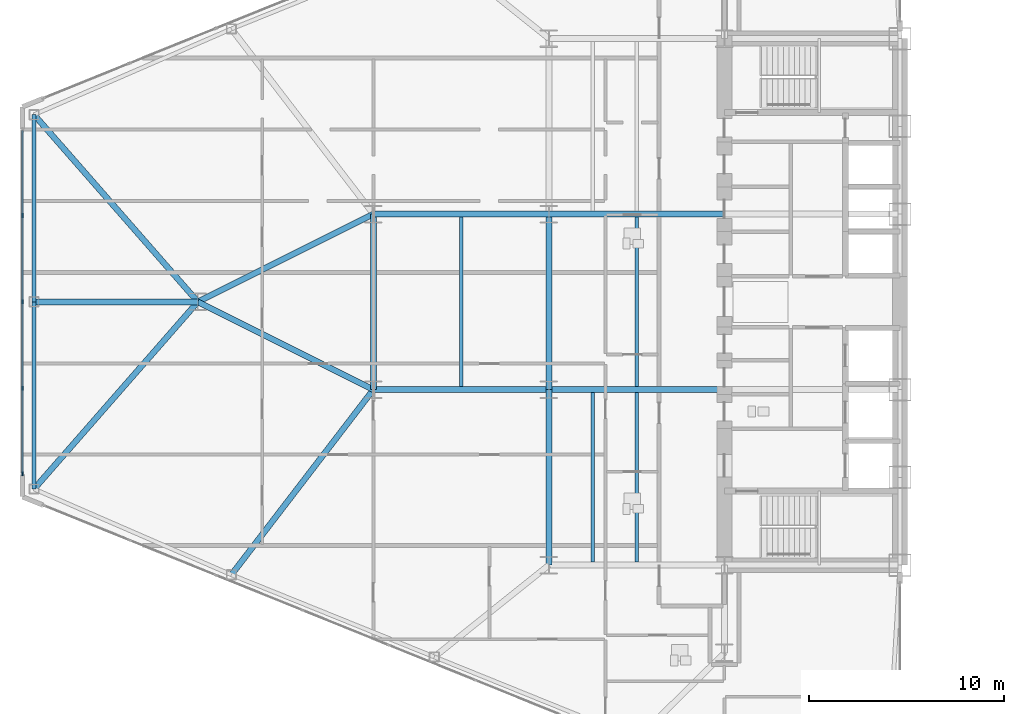
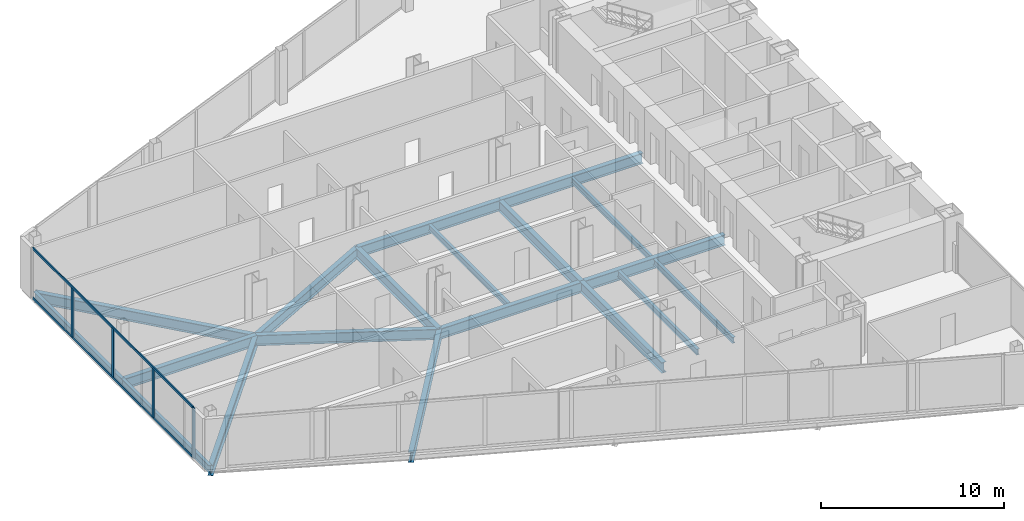
# One storey, part 4 of 25: 19 beams, 6 members, 1 element without a shape of its own.
"""IFC4 building model written with IfcOpenShell, lengths in metres."""

from ifc_helpers import new_model, si_unit, direction, frame, origin, origin_2d, place, context, subcontext, project, spatial, rectangle, i_section, extrude, source, transform, mapped, material, layer, layer_set, material_profile, profile_set, type_object, type_shapes, element, aggregate, save


model = new_model("IFC4")

# Units and contexts
model_context = context("Model", 3, precision=1e-05, world=origin(), true_north=direction((0.0, 1.0)))
body_context = subcontext(model_context, "Body", "Model", "MODEL_VIEW")
ifc_project = project(units=[si_unit("LENGTHUNIT", "METRE"), si_unit("AREAUNIT", "SQUARE_METRE"), si_unit("VOLUMEUNIT", "CUBIC_METRE"), si_unit("PLANEANGLEUNIT", "RADIAN"), si_unit("MASSUNIT", "GRAM", prefix="KILO")], contexts=[model_context])

# Site, building, storey
site_placement = place(None, origin())
site = spatial("IfcSite", under=ifc_project, at=site_placement, CompositionType="ELEMENT")
building_placement = place(site_placement, origin())
building = spatial("IfcBuilding", under=site, at=building_placement, Name="Seokmaru Belvedere", CompositionType="ELEMENT")
storey_placement = place(building_placement, frame((0.0, 0.0, 58.5)))
storey = spatial("IfcBuildingStorey", under=building, at=storey_placement, Name="L15", CompositionType="ELEMENT", Elevation=58.5)

# Beams
ifc_material_1 = material(Name="Steel SM355 (355 MPa)", Category="steel")
ifc_material_profile_1 = material_profile(ifc_material_1, i_section(OverallWidth=0.300048828125, OverallDepth=0.699951171875, WebThickness=0.012939453125, FlangeThickness=0.02392578125, at=origin_2d()), Name="H-700x300x13x24")
ifc_profile_set_1 = profile_set([ifc_material_profile_1], Name="Steel SM355 (355 MPa)")
beam_type_1 = type_object("IfcBeamType", Name="Primary Floor Girder H-700", PredefinedType="BEAM", material=ifc_profile_set_1)
shared_shape_1 = source(origin(), body_context, "Body", "SweptSolid", [
    extrude(i_section(OverallWidth=0.300048828125, OverallDepth=0.699951171875, WebThickness=0.012939453125, FlangeThickness=0.02392578125, at=origin_2d()), origin(), (0.0, 0.0, 1.0), 9.0),
])
for number, where, z_axis, x_axis, name in (
    (1, (-45.5, -13.5, -0.570068359375), (0.0, 1.0, 0.0), (-1.0, 0.0, 0.0), "L15 W Interior Grid Girder 1"),
    (2, (-45.5, -4.5, -0.570068359375), (0.0, 1.0, 0.0), (-1.0, 0.0, 0.0), "L15 W Interior Grid Girder 2"),
    (3, (-45.5, -4.5, -0.570068359375), (1.0, 0.0, 0.0), (0.0, 1.0, 0.0), "L15 W Wing Primary Girder 2"),
    (4, (-45.5, 4.5, -0.570068359375), (1.0, 0.0, 0.0), (0.0, 1.0, 0.0), "L15 W Wing Primary Girder 3"),
    (5, (-54.5, -4.5, -0.570068359375), (1.0, 0.0, 0.0), (0.0, 1.0, 0.0), "L15 W Outer Wing Girder 1"),
    (6, (-54.5, 4.5, -0.570068359375), (1.0, 0.0, 0.0), (0.0, 1.0, 0.0), "L15 W Outer Wing Girder 2"),
    (7, (-54.5, -4.5, -0.570068359375), (0.0, 1.0, 0.0), (-1.0, 0.0, 0.0), "L15 W Apex Frame Girder"),
):
    element("IfcBeam", number, at=place(storey_placement, frame(where, z_axis=z_axis, x_axis=x_axis)), inside=storey, type_object=beam_type_1, Name=name, PredefinedType="BEAM", context=body_context, shape_type="MappedRepresentation", body=[
        mapped(shared_shape_1, transform((0.0, 0.0, 0.0), scale=1.0)),
    ])
shared_shape_2 = source(origin(), body_context, "Body", "SweptSolid", [
    extrude(i_section(OverallWidth=0.300048828125, OverallDepth=0.699951171875, WebThickness=0.012939453125, FlangeThickness=0.02392578125, at=origin_2d()), origin(), (0.0, 0.0, 1.0), 10.062255859375),
])
for number, where, z_axis, x_axis, name in (
    (8, (-54.5, -4.5, -0.570068359375), (-0.894427191, 0.4472135955, 0.0), (-0.4472135955, -0.894427191, 0.0), "L15 W Apex Converging Girder 1"),
    (9, (-54.5, 4.5, -0.570068359375), (-0.894427191, -0.4472135955, 0.0), (0.4472135955, -0.894427191, 0.0), "L15 W Apex Converging Girder 2"),
):
    element("IfcBeam", number, at=place(storey_placement, frame(where, z_axis=z_axis, x_axis=x_axis)), inside=storey, type_object=beam_type_1, Name=name, PredefinedType="BEAM", context=body_context, shape_type="MappedRepresentation", body=[
        mapped(shared_shape_2, transform((0.0, 0.0, 0.0), scale=1.0)),
    ])
ifc_material_profile_2 = material_profile(ifc_material_1, i_section(OverallWidth=0.18505859375, OverallDepth=0.389892578125, WebThickness=0.008056640625, FlangeThickness=0.011962890625, at=origin_2d()), Name="H-390x185x8x12")
ifc_profile_set_2 = profile_set([ifc_material_profile_2], Name="Steel SM355 (355 MPa)")
beam_type_2 = type_object("IfcBeamType", Name="Secondary Floor Joist H-350", PredefinedType="JOIST", material=ifc_profile_set_2)
shared_shape_3 = source(origin(), body_context, "Body", "SweptSolid", [
    extrude(i_section(OverallWidth=0.18505859375, OverallDepth=0.389892578125, WebThickness=0.008056640625, FlangeThickness=0.011962890625, at=origin_2d()), origin(), (0.0, 0.0, 1.0), 8.68994140625),
])
type_shapes(beam_type_2, [shared_shape_3])
for number, where, z_axis, x_axis, name in (
    (10, (-43.25, -13.344970703125, -0.4150390625), (0.0, 1.0, 0.0), (-1.0, 0.0, 0.0), "L15 W Wing Inner Secondary Joist 1"),
    (11, (-41.0, -13.344970703125, -0.4150390625), (0.0, 1.0, 0.0), (-1.0, 0.0, 0.0), "L15 W Secondary Floor Joist 1"),
    (12, (-41.0, -4.344970703125, -0.4150390625), (0.0, 1.0, 0.0), (-1.0, 0.0, 0.0), "L15 W Secondary Floor Joist 2"),
    (13, (-50.0, -4.344970703125, -0.4150390625), (0.0, 1.0, 0.0), (-1.0, 0.0, 0.0), "L15 W Outer Bay Secondary Joist"),
):
    element("IfcBeam", number, at=place(storey_placement, frame(where, z_axis=z_axis, x_axis=x_axis)), inside=storey, type_object=beam_type_2, Name=name, PredefinedType="JOIST", context=body_context, shape_type="MappedRepresentation", body=[
        mapped(shared_shape_3, transform((0.0, 0.0, 0.0), scale=1.0)),
    ])
shared_shape_4 = source(origin(), body_context, "Body", "SweptSolid", [
    extrude(i_section(OverallWidth=0.300048828125, OverallDepth=0.699951171875, WebThickness=0.012939453125, FlangeThickness=0.02392578125, at=origin_2d()), origin(), (0.0, 0.0, 1.0), 12.7529296875),
])
for number, where, z_axis, x_axis, name in (
    (14, (-71.89990234375, -9.595703125, -0.570068359375), (0.658667231479, 0.752434368019, 0.0), (-0.752434368019, 0.658667231479, 0.0), "L15 W Apex Radial Floor Girder 1"),
    (15, (-71.89990234375, 9.595703125, -0.570068359375), (0.658667231479, -0.752434368019, 0.0), (0.752434368019, 0.658667231479, 0.0), "L15 W Apex Radial Floor Girder 2"),
):
    element("IfcBeam", number, at=place(storey_placement, frame(where, z_axis=z_axis, x_axis=x_axis)), inside=storey, type_object=beam_type_1, Name=name, PredefinedType="BEAM", context=body_context, shape_type="MappedRepresentation", body=[
        mapped(shared_shape_4, transform((0.0, 0.0, 0.0), scale=1.0)),
    ])
ifc_material_profile_3 = material_profile(ifc_material_1, i_section(OverallWidth=0.199951171875, OverallDepth=0.5, WebThickness=0.010009765625, FlangeThickness=0.01611328125, at=origin_2d()), Name="H-500x200x10x16")
ifc_profile_set_3 = profile_set([ifc_material_profile_3], Name="Steel SM355 (355 MPa)")
beam_type_3 = type_object("IfcBeamType", Name="Perimeter Spandrel Beam H-500", PredefinedType="SPANDREL", material=ifc_profile_set_3)
shared_shape_5 = source(origin(), body_context, "Body", "SweptSolid", [
    extrude(i_section(OverallWidth=0.199951171875, OverallDepth=0.5, WebThickness=0.010009765625, FlangeThickness=0.01611328125, at=origin_2d()), origin(), (0.0, 0.0, 1.0), 9.595703125),
])
type_shapes(beam_type_3, [shared_shape_5])
for number, where, z_axis, x_axis, name in (
    (16, (-71.89990234375, -9.595703125, -0.469970703125), (0.0, 1.0, 0.0), (-1.0, 0.0, 0.0), "L15 W Faceted Apex Spandrel S"),
    (17, (-71.89990234375, 0.0, -0.469970703125), (0.0, 1.0, 0.0), (-1.0, 0.0, 0.0), "L15 W Faceted Apex Spandrel N"),
):
    element("IfcBeam", number, at=place(storey_placement, frame(where, z_axis=z_axis, x_axis=x_axis)), inside=storey, type_object=beam_type_3, Name=name, PredefinedType="SPANDREL", context=body_context, shape_type="MappedRepresentation", body=[
        mapped(shared_shape_5, transform((0.0, 0.0, 0.0), scale=1.0)),
    ])
shared_shape_6 = source(origin(), body_context, "Body", "SweptSolid", [
    extrude(i_section(OverallWidth=0.300048828125, OverallDepth=0.699951171875, WebThickness=0.012939453125, FlangeThickness=0.02392578125, at=origin_2d()), origin(), (0.0, 0.0, 1.0), 11.96337890625),
])
beam_1_placement = place(storey_placement, frame((-61.779052734375, -13.994140625, -0.570068359375), z_axis=(0.608442682624, 0.793597821294, 0.0), x_axis=(-0.793597821294, 0.608442682624, 0.0)))
element("IfcBeam", 18, at=beam_1_placement, inside=storey, type_object=beam_type_1, Name="L15 W Flank Radial Floor Girder S-3", PredefinedType="BEAM", context=body_context, shape_type="MappedRepresentation", body=[
    mapped(shared_shape_6, transform((0.0, 0.0, 0.0), scale=1.0)),
])
shared_shape_7 = source(origin(), body_context, "Body", "SweptSolid", [
    extrude(i_section(OverallWidth=0.300048828125, OverallDepth=0.699951171875, WebThickness=0.012939453125, FlangeThickness=0.02392578125, at=origin_2d()), origin(), (0.0, 0.0, 1.0), 8.39990234375),
])
type_shapes(beam_type_1, [shared_shape_1, shared_shape_2, shared_shape_4, shared_shape_6, shared_shape_7])
beam_2_placement = place(storey_placement, frame((-71.89990234375, 0.0, -0.570068359375), z_axis=(1.0, 0.0, 0.0), x_axis=(0.0, 1.0, 0.0)))
element("IfcBeam", 19, at=beam_2_placement, inside=storey, type_object=beam_type_1, Name="L15 W Apex Center Radial Girder", PredefinedType="BEAM", context=body_context, shape_type="MappedRepresentation", body=[
    mapped(shared_shape_7, transform((0.0, 0.0, 0.0), scale=1.0)),
])

# Curtain wall, members
ifc_material_2 = material(Name="Bronze Triple Insulating Glass", Category="glass")
ifc_layer = layer(ifc_material_2, 0.2099609375)
ifc_layer_set = layer_set([ifc_layer], Name="Bronze Triple Insulating Glass")
curtain_wall_type = type_object("IfcCurtainWallType", Name="Low-Rise Faceted Crystal Curtain Wall System CW-2", PredefinedType="NOTDEFINED", material=ifc_layer_set)
curtain_wall_placement = place(storey_placement, origin())
curtain_wall = element("IfcCurtainWall", 20, at=curtain_wall_placement, inside=storey, type_object=curtain_wall_type, Name="L15 Curtain Wall WF4", PredefinedType="NOTDEFINED")
ifc_material_3 = material(Name="Anodised Bronze Aluminium", Category="aluminium")
ifc_material_profile_4 = material_profile(ifc_material_3, rectangle(XDim=0.074951171875, YDim=0.2099609375, at=origin_2d()), Name="CW-M-75x210")
ifc_profile_set_4 = profile_set([ifc_material_profile_4], Name="Anodised Bronze Aluminium")
member_type_1 = type_object("IfcMemberType", Name="Bronze Unitised Mullion 75x210", PredefinedType="MULLION", material=ifc_profile_set_4)
shared_shape_8 = source(origin(), body_context, "Body", "SweptSolid", [
    extrude(rectangle(XDim=0.074951171875, YDim=0.2099609375, at=origin_2d()), origin(), (0.0, 0.0, 1.0), 3.239990234375),
])
member_1_placement = place(storey_placement, frame((-72.5, 4.425048828125, 0.070068359375), z_axis=(0.0, 0.0, 1.0), x_axis=(1.0, 0.0, 0.0)))
member_1 = element("IfcMember", 21, at=member_1_placement, type_object=member_type_1, Name="CW:L15:WF4 Mullion 2", PredefinedType="MULLION", context=body_context, shape_type="MappedRepresentation", body=[
    mapped(shared_shape_8, transform((0.0, 0.0, 0.0), scale=1.0)),
])
member_2_placement = place(storey_placement, frame((-72.5, 0.0, 0.070068359375), z_axis=(0.0, 0.0, 1.0), x_axis=(1.0, 0.0, 0.0)))
member_2 = element("IfcMember", 22, at=member_2_placement, type_object=member_type_1, Name="CW:L15:WF4 Mullion 3", PredefinedType="MULLION", context=body_context, shape_type="MappedRepresentation", body=[
    mapped(shared_shape_8, transform((0.0, 0.0, 0.0), scale=1.0)),
])
member_3_placement = place(storey_placement, frame((-72.5, -4.425048828125, 0.070068359375), z_axis=(0.0, 0.0, 1.0), x_axis=(1.0, 0.0, 0.0)))
member_3 = element("IfcMember", 23, at=member_3_placement, type_object=member_type_1, Name="CW:L15:WF4 Mullion 4", PredefinedType="MULLION", context=body_context, shape_type="MappedRepresentation", body=[
    mapped(shared_shape_8, transform((0.0, 0.0, 0.0), scale=1.0)),
])
ifc_material_profile_5 = material_profile(ifc_material_3, rectangle(XDim=0.070068359375, YDim=0.1650390625, at=origin_2d()), Name="CW-T-70x165")
ifc_profile_set_5 = profile_set([ifc_material_profile_5], Name="Anodised Bronze Aluminium")
member_type_2 = type_object("IfcMemberType", Name="Bronze Unitised Transom 70x165", PredefinedType="USERDEFINED", material=ifc_profile_set_5)
shared_shape_9 = source(origin(), body_context, "Body", "SweptSolid", [
    extrude(rectangle(XDim=0.070068359375, YDim=0.1650390625, at=origin_2d()), origin(), (0.0, 0.0, 1.0), 17.5498046875),
])
type_shapes(member_type_2, [shared_shape_9])
member_4_placement = place(storey_placement, frame((-72.5, 8.77490234375, 0.034912109375), z_axis=(0.0, -1.0, 0.0), x_axis=(1.0, 0.0, 0.0)))
member_4 = element("IfcMember", 24, at=member_4_placement, type_object=member_type_2, Name="CW:L15:WF4 Continuous Transom 1", ObjectType="TRANSOM", PredefinedType="USERDEFINED", context=body_context, shape_type="MappedRepresentation", body=[
    mapped(shared_shape_9, transform((0.0, 0.0, 0.0), scale=1.0)),
])
member_5_placement = place(storey_placement, frame((-72.5, 8.77490234375, 3.344970703125), z_axis=(0.0, -1.0, 0.0), x_axis=(1.0, 0.0, 0.0)))
member_5 = element("IfcMember", 25, at=member_5_placement, type_object=member_type_2, Name="CW:L15:WF4 Continuous Transom 2", ObjectType="TRANSOM", PredefinedType="USERDEFINED", context=body_context, shape_type="MappedRepresentation", body=[
    mapped(shared_shape_9, transform((0.0, 0.0, 0.0), scale=1.0)),
])
shared_shape_10 = source(origin(), body_context, "Body", "SweptSolid", [
    extrude(rectangle(XDim=0.074951171875, YDim=0.2099609375, at=origin_2d()), origin(), (0.0, 0.0, 1.0), 3.3798828125),
])
type_shapes(member_type_1, [shared_shape_8, shared_shape_10])
member_6_placement = place(storey_placement, frame((-72.5, -8.8125, 0.0), z_axis=(0.0, 0.0, 1.0), x_axis=(1.0, 0.0, 0.0)))
member_6 = element("IfcMember", 26, at=member_6_placement, type_object=member_type_1, Name="CW:L15:WF4 Mullion 5", PredefinedType="MULLION", context=body_context, shape_type="MappedRepresentation", body=[
    mapped(shared_shape_10, transform((0.0, 0.0, 0.0), scale=1.0)),
])
aggregate(curtain_wall, [member_1, member_2, member_3, member_6, member_4, member_5])

save(model, "model.ifc")
